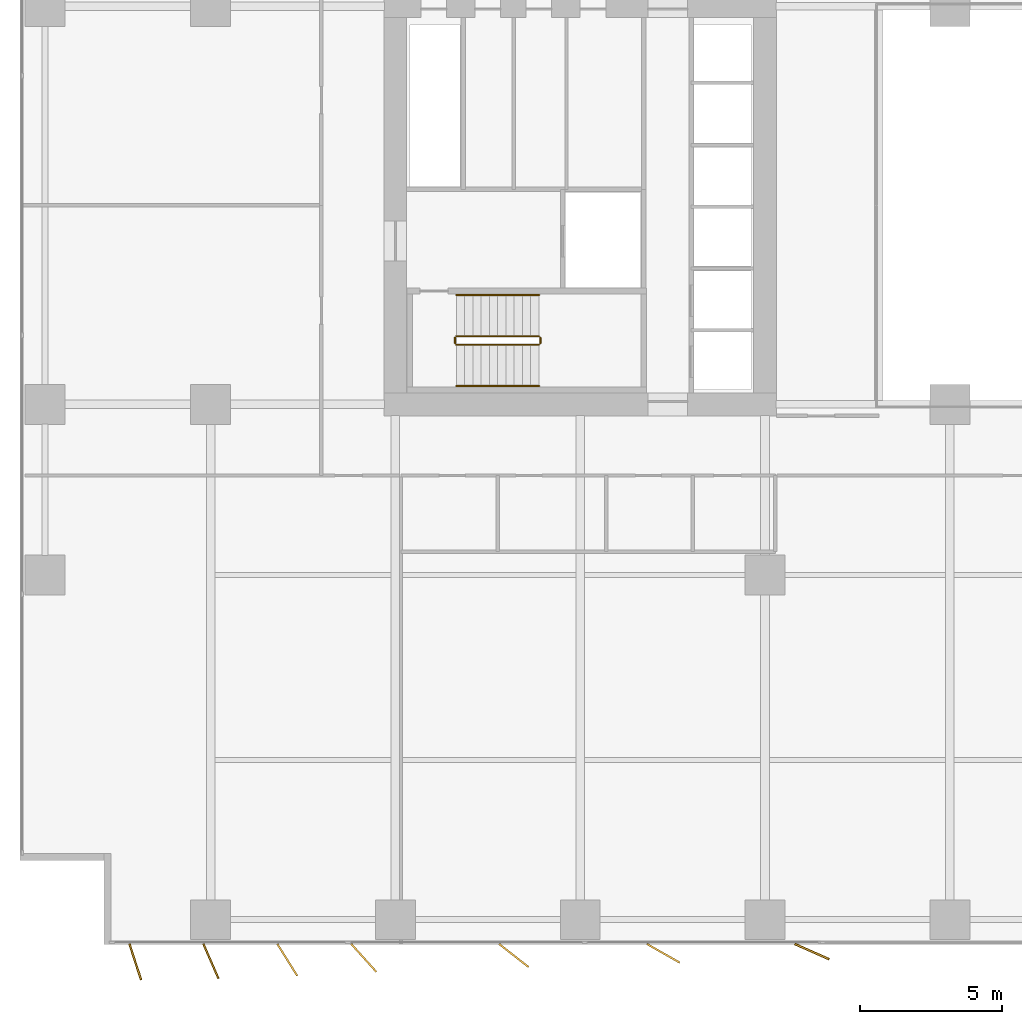
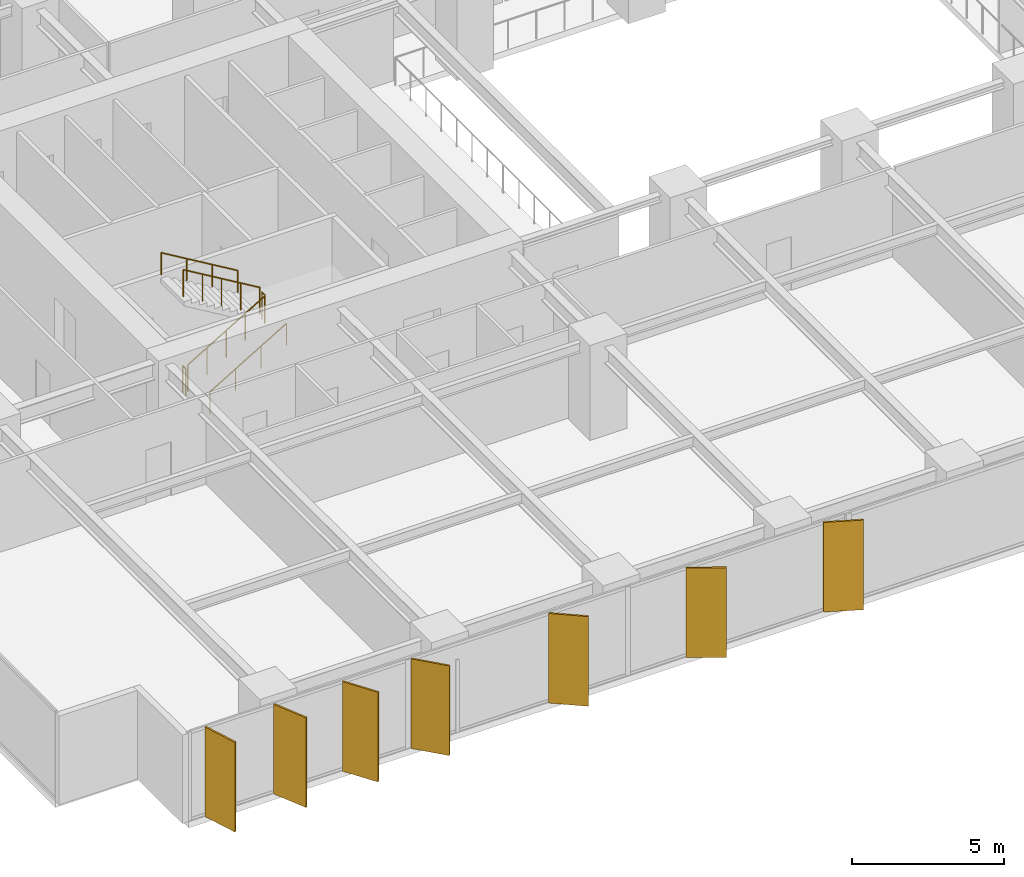
# One storey, part 17 of 20: 7 shading devices, 6 railings.
"""IFC4 building model written with IfcOpenShell, lengths in metres."""

from ifc_helpers import new_model, si_unit, direction, frame, origin, origin_2d, place, context, subcontext, project, spatial, rectangle, circle, extrude, material, layer, layer_set, type_object, element, save


model = new_model("IFC4")

# Units and contexts
model_context = context("Model", 3, precision=1e-05, world=origin(), true_north=direction((0.0, 1.0)))
body_context = subcontext(model_context, "Body", "Model", "MODEL_VIEW")
ifc_project = project(units=[si_unit("LENGTHUNIT", "METRE"), si_unit("AREAUNIT", "SQUARE_METRE"), si_unit("VOLUMEUNIT", "CUBIC_METRE"), si_unit("PLANEANGLEUNIT", "RADIAN"), si_unit("MASSUNIT", "GRAM", prefix="KILO")], contexts=[model_context])

# Site, building, storey
site_placement = place(None, origin())
site = spatial("IfcSite", under=ifc_project, at=site_placement, CompositionType="ELEMENT")
building_placement = place(site_placement, origin())
building = spatial("IfcBuilding", under=site, at=building_placement, Name="Putna Gate Headquarters", CompositionType="ELEMENT")
storey_placement = place(building_placement, frame((0.0, 0.0, 46.800048828125)))
storey = spatial("IfcBuildingStorey", under=building, at=storey_placement, Name="L10", CompositionType="ELEMENT", Elevation=46.800048828125)

# Railings
ifc_material_1 = material(Name="Powder-coated steel stair guardrail", Category="steel")
railing_type_1 = type_object("IfcRailingType", Name="RAIL-STAIR-GUARD-1100", PredefinedType="GUARDRAIL", material=ifc_material_1)
railing_1_placement = place(storey_placement, frame((15.14990234375, 21.10009765625, 0.172607421875)))
element("IfcRailing", 1, at=railing_1_placement, inside=storey, type_object=railing_type_1, Name="L10 ST1 stair guard 1", PredefinedType="GUARDRAIL", context=body_context, shape_type="SweptSolid", body=[
    extrude(circle(Radius=0.02392578125, at=origin_2d()), frame((0.0, 0.0, 1.076171875), z_axis=(0.859160404282, 0.0, 0.51170636083), x_axis=(0.0, 1.0, 0.0)), (0.0, 0.0, 1.0), 3.37548828125),
    extrude(circle(Radius=0.02099609375, at=origin_2d()), origin(), (0.0, 0.0, 1.0), 1.052001953125),
    extrude(circle(Radius=0.02099609375, at=origin_2d()), frame((0.72509765625, 0.0, 0.431884765625)), (0.0, 0.0, 1.0), 1.052001953125),
    extrude(circle(Radius=0.02099609375, at=origin_2d()), frame((1.4501953125, 0.0, 0.86376953125)), (0.0, 0.0, 1.0), 1.052001953125),
    extrude(circle(Radius=0.02099609375, at=origin_2d()), frame((2.175048828125, 0.0, 1.29541015625)), (0.0, 0.0, 1.0), 1.052001953125),
    extrude(circle(Radius=0.02099609375, at=origin_2d()), frame((2.900146484375, 0.0, 1.727294921875)), (0.0, 0.0, 1.0), 1.052001953125),
])
railing_2_placement = place(storey_placement, frame((18.10009765625, 21.14990234375, 1.89990234375)))
element("IfcRailing", 2, at=railing_2_placement, inside=storey, type_object=railing_type_1, Name="L10 ST1 stair guard 2", PredefinedType="GUARDRAIL", context=body_context, shape_type="SweptSolid", body=[
    extrude(circle(Radius=0.02392578125, at=origin_2d()), frame((0.0, 0.0, 1.076171875), z_axis=(0.0, 1.0, 0.0), x_axis=(-1.0, 0.0, 0.0)), (0.0, 0.0, 1.0), 0.2001953125),
    extrude(circle(Radius=0.02099609375, at=origin_2d()), origin(), (0.0, 0.0, 1.0), 1.052001953125),
    extrude(circle(Radius=0.02099609375, at=origin_2d()), frame((0.0, 0.2001953125, 0.0)), (0.0, 0.0, 1.0), 1.052001953125),
])
railing_3_placement = place(storey_placement, frame((18.050048828125, 21.39990234375, 2.07275390625)))
element("IfcRailing", 3, at=railing_3_placement, inside=storey, type_object=railing_type_1, Name="L10 ST1 stair guard 3", PredefinedType="GUARDRAIL", context=body_context, shape_type="SweptSolid", body=[
    extrude(circle(Radius=0.02392578125, at=origin_2d()), frame((0.0, 0.0, 1.076171875), z_axis=(-0.859160404282, 0.0, 0.51170636083), x_axis=(0.0, -1.0, 0.0)), (0.0, 0.0, 1.0), 3.37548828125),
    extrude(circle(Radius=0.02099609375, at=origin_2d()), origin(), (0.0, 0.0, 1.0), 1.052001953125),
    extrude(circle(Radius=0.02099609375, at=origin_2d()), frame((-0.72509765625, 0.0, 0.431884765625)), (0.0, 0.0, 1.0), 1.052001953125),
    extrude(circle(Radius=0.02099609375, at=origin_2d()), frame((-1.4501953125, 0.0, 0.86376953125)), (0.0, 0.0, 1.0), 1.052001953125),
    extrude(circle(Radius=0.02099609375, at=origin_2d()), frame((-2.175048828125, 0.0, 1.29541015625)), (0.0, 0.0, 1.0), 1.052001953125),
    extrude(circle(Radius=0.02099609375, at=origin_2d()), frame((-2.900146484375, 0.0, 1.727294921875)), (0.0, 0.0, 1.0), 1.052001953125),
])
railing_4_placement = place(storey_placement, frame((15.10009765625, 21.14990234375, 0.0)))
element("IfcRailing", 4, at=railing_4_placement, inside=storey, type_object=railing_type_1, Name="L10 ST1 stair guard 4", PredefinedType="GUARDRAIL", context=body_context, shape_type="SweptSolid", body=[
    extrude(circle(Radius=0.02392578125, at=origin_2d()), frame((0.0, 0.0, 1.076171875), z_axis=(0.0, 1.0, 0.0), x_axis=(-1.0, 0.0, 0.0)), (0.0, 0.0, 1.0), 0.2001953125),
    extrude(circle(Radius=0.02099609375, at=origin_2d()), origin(), (0.0, 0.0, 1.0), 1.052001953125),
    extrude(circle(Radius=0.02099609375, at=origin_2d()), frame((0.0, 0.2001953125, 0.0)), (0.0, 0.0, 1.0), 1.052001953125),
])
ifc_material_2 = material(Name="Brushed stainless steel handrail", Category="steel")
railing_type_2 = type_object("IfcRailingType", Name="RAIL-STAIR-HAND-900", PredefinedType="HANDRAIL", material=ifc_material_2)
railing_5_placement = place(storey_placement, frame((15.14990234375, 19.64990234375, 0.172607421875)))
element("IfcRailing", 5, at=railing_5_placement, inside=storey, type_object=railing_type_2, Name="L10 ST1 stair handrail 1", PredefinedType="HANDRAIL", context=body_context, shape_type="SweptSolid", body=[
    extrude(circle(Radius=0.02392578125, at=origin_2d()), frame((0.0, 0.0, 0.8759765625), z_axis=(0.859160404282, 0.0, 0.51170636083), x_axis=(0.0, 1.0, 0.0)), (0.0, 0.0, 1.0), 3.37548828125),
    extrude(circle(Radius=0.02099609375, at=origin_2d()), origin(), (0.0, 0.0, 1.0), 0.851806640625),
    extrude(circle(Radius=0.02099609375, at=origin_2d()), frame((0.966796875, 0.0, 0.57568359375)), (0.0, 0.0, 1.0), 0.851806640625),
    extrude(circle(Radius=0.02099609375, at=origin_2d()), frame((1.933349609375, 0.0, 1.151611328125)), (0.0, 0.0, 1.0), 0.851806640625),
    extrude(circle(Radius=0.02099609375, at=origin_2d()), frame((2.900146484375, 0.0, 1.727294921875)), (0.0, 0.0, 1.0), 0.851806640625),
])
railing_6_placement = place(storey_placement, frame((18.050048828125, 22.85009765625, 2.07275390625)))
element("IfcRailing", 6, at=railing_6_placement, inside=storey, type_object=railing_type_2, Name="L10 ST1 stair handrail 2", PredefinedType="HANDRAIL", context=body_context, shape_type="SweptSolid", body=[
    extrude(circle(Radius=0.02392578125, at=origin_2d()), frame((0.0, 0.0, 0.8759765625), z_axis=(-0.859160404282, 0.0, 0.51170636083), x_axis=(0.0, -1.0, 0.0)), (0.0, 0.0, 1.0), 3.37548828125),
    extrude(circle(Radius=0.02099609375, at=origin_2d()), origin(), (0.0, 0.0, 1.0), 0.851806640625),
    extrude(circle(Radius=0.02099609375, at=origin_2d()), frame((-0.966796875, 0.0, 0.57568359375)), (0.0, 0.0, 1.0), 0.851806640625),
    extrude(circle(Radius=0.02099609375, at=origin_2d()), frame((-1.933349609375, 0.0, 1.151611328125)), (0.0, 0.0, 1.0), 0.851806640625),
    extrude(circle(Radius=0.02099609375, at=origin_2d()), frame((-2.900146484375, 0.0, 1.727294921875)), (0.0, 0.0, 1.0), 0.851806640625),
])

# Shading devices
ifc_material_3 = material(Name="Anodised architectural bronze aluminium fin", Category="aluminium")
ifc_layer = layer(ifc_material_3, 0.06494140625)
ifc_layer_set = layer_set([ifc_layer], Name="Anodised architectural bronze aluminium fin")
shading_device_type = type_object("IfcShadingDeviceType", Name="SHADE-BRONZE-FIN-1320", PredefinedType="USERDEFINED", material=ifc_layer_set)
for number, where, z_axis, x_axis, name in (
    (7, (3.853759765625, -0.602783203125, -0.02001953125), (0.0, 0.0, 1.0), (0.308684994204, -0.951164325631, 0.0), "L10 Bronze Vertical Shading Fin S1"),
    (8, (6.514404296875, -0.57958984375, -0.02001953125), (0.0, 0.0, 1.0), (0.400668879095, -0.916222925562, 0.0), "L10 Bronze Vertical Shading Fin S2"),
    (9, (9.2001953125, -0.534423828125, -0.02001953125), (0.0, 0.0, 1.0), (0.530659123936, -0.847585331506, 0.0), "L10 Bronze Vertical Shading Fin S3"),
    (10, (11.8916015625, -0.465576171875, -0.02001953125), (0.0, 0.0, 1.0), (0.669130606359, -0.743144825477, 0.0), "L10 Bronze Vertical Shading Fin S4"),
    (11, (17.169677734375, -0.3818359375, -0.02001953125), (0.0, 0.0, 1.0), (0.787473187632, -0.616348909921, 0.0), "L10 Bronze Vertical Shading Fin S5"),
    (12, (22.423828125, -0.30126953125, -0.02001953125), (0.0, 0.0, 1.0), (0.869322458298, -0.494245347472, 0.0), "L10 Bronze Vertical Shading Fin S6"),
    (13, (27.653076171875, -0.2431640625, -0.02001953125), (0.0, 0.0, 1.0), (0.913687379856, -0.40641773078, 0.0), "L10 Bronze Vertical Shading Fin S7"),
):
    element("IfcShadingDevice", number, at=place(storey_placement, frame(where, z_axis=z_axis, x_axis=x_axis)), inside=storey, type_object=shading_device_type, Name=name, ObjectType="FIN", PredefinedType="USERDEFINED", context=body_context, shape_type="SweptSolid", body=[
        extrude(rectangle(XDim=1.320068359375, YDim=0.06494140625, at=origin_2d()), origin(), (0.0, 0.0, 1.0), 3.590087890625),
    ])

save(model, "model.ifc")
